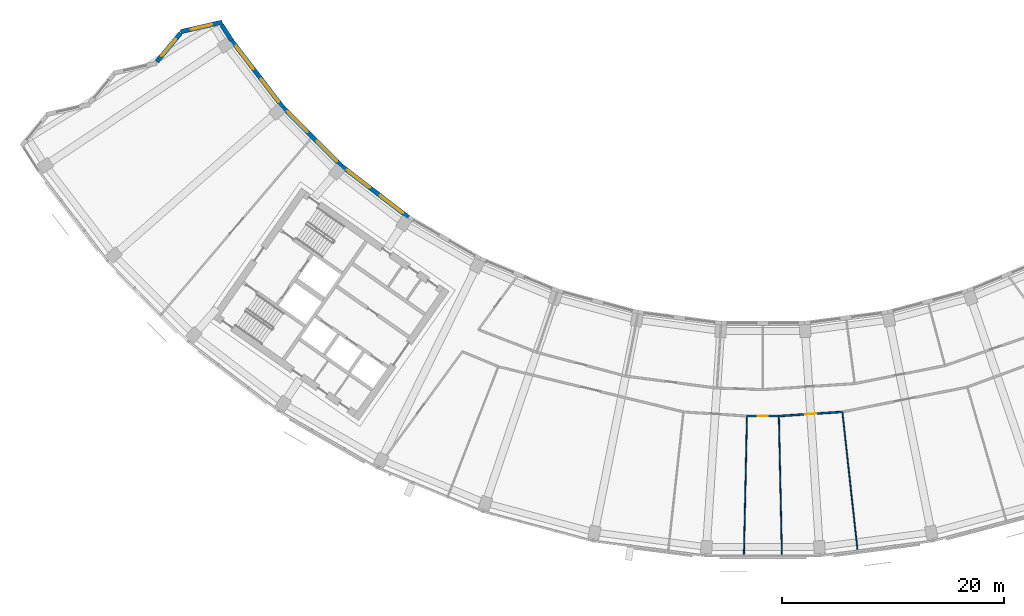
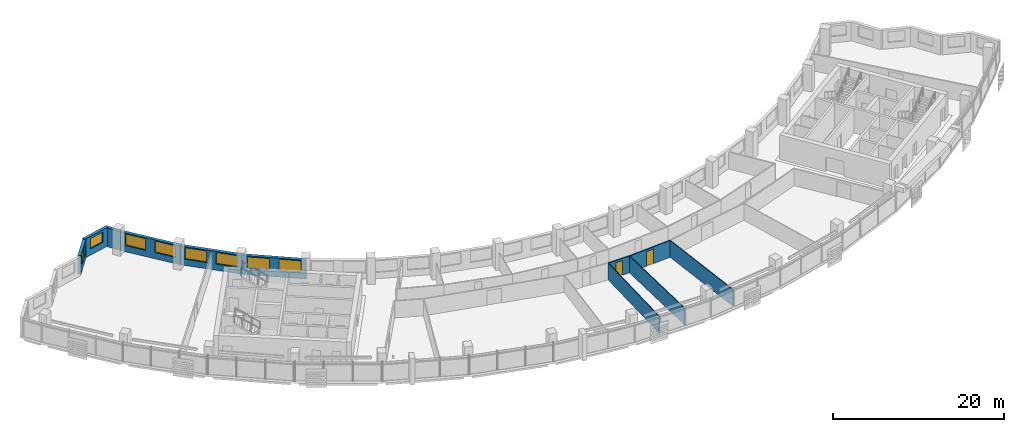
# One storey, part 5 of 28: 11 walls, 8 windows, 2 doors, 10 openings.
"""IFC4 building model written with IfcOpenShell, lengths in metres."""

from ifc_helpers import new_model, si_unit, direction, frame, frame_2d, origin, place, context, subcontext, project, spatial, rectangle, extrude, material, layer, layer_set, type_object, element, fill, save


model = new_model("IFC4")

# Units and contexts
model_context = context("Model", 3, precision=1e-05, world=origin(), true_north=direction((0.0, 1.0)))
body_context = subcontext(model_context, "Body", "Model", "MODEL_VIEW")
ifc_project = project(units=[si_unit("LENGTHUNIT", "METRE"), si_unit("AREAUNIT", "SQUARE_METRE"), si_unit("VOLUMEUNIT", "CUBIC_METRE"), si_unit("PLANEANGLEUNIT", "RADIAN"), si_unit("MASSUNIT", "GRAM", prefix="KILO")], contexts=[model_context])

# Site, building, storey
site_placement = place(None, origin())
site = spatial("IfcSite", under=ifc_project, at=site_placement, CompositionType="ELEMENT")
building_placement = place(site_placement, origin())
building = spatial("IfcBuilding", under=site, at=building_placement, Name="Qamariyya Broadcast Tower", CompositionType="ELEMENT")
storey_placement = place(building_placement, frame((0.0, 0.0, 230.300048828125)))
storey = spatial("IfcBuildingStorey", under=building, at=storey_placement, Name="L55", CompositionType="ELEMENT", Elevation=230.300048828125)

# Wall, opening, door
ifc_material_1 = material(Name="Gypsum board partition")
ifc_layer_1 = layer(ifc_material_1, 0.14990234375)
ifc_layer_set_1 = layer_set([ifc_layer_1], Name="Corridor partition 150 EI 60")
wall_type_1 = type_object("IfcWallType", Name="Corridor partition 150 EI 60", PredefinedType="PARTITIONING", material=ifc_layer_set_1)
wall_1_placement = place(storey_placement, frame((1.437255859375, -65.7841796875, 0.0), z_axis=(0.0, 0.0, 1.0), x_axis=(-1.0, 0.0, 0.0)))
wall_1 = element("IfcWall", 1, at=wall_1_placement, inside=storey, type_object=wall_type_1, Name="Partition L55-017", PredefinedType="PARTITIONING", context=body_context, shape_type="SweptSolid", body=[
    extrude(rectangle(XDim=2.87451171875, YDim=0.14990234375, at=frame_2d((1.437255859375, 0.0))), origin(), (0.0, 0.0, 1.0), 2.39990234375),
])
opening_1_placement = place(wall_1_placement, frame((0.9873046875, 0.0, 0.0)))
opening_1 = element("IfcOpeningElement", 2, at=opening_1_placement, cuts=wall_1, Name="Opening L55-D04", PredefinedType="OPENING", context=body_context, shape_type="SweptSolid", body=[
    extrude(rectangle(XDim=0.89990234375, YDim=2.10009765625, at=frame_2d((0.449951171875, 1.050048828125))), frame((0.0, 0.0849609375, 0.0), z_axis=(0.0, -1.0, 0.0), x_axis=(1.0, 0.0, 0.0)), (0.0, 0.0, 1.0), 0.169921875),
])
ifc_material_2 = material(Name="Timber fire door leaf", Category="wood")
door_type_1 = type_object("IfcDoorType", Name="Fire door 900 x 2100 FD60", OperationType="NOTDEFINED", PredefinedType="DOOR", material=ifc_material_2)
door_1_placement = place(opening_1_placement, origin())
door_1 = element("IfcDoor", 3, at=door_1_placement, inside=storey, type_object=door_type_1, Name="Door L55-D04", OperationType="SINGLE_SWING_RIGHT", OverallHeight=2.10009765625, OverallWidth=0.89990234375, PredefinedType="DOOR", context=body_context, shape_type="SweptSolid", body=[
    extrude(rectangle(XDim=0.89990234375, YDim=2.10009765625, at=frame_2d((0.449951171875, 1.050048828125))), frame((0.0, 0.02490234375, 0.0), z_axis=(0.0, -1.0, 0.0), x_axis=(1.0, 0.0, 0.0)), (0.0, 0.0, 1.0), 0.050048828125),
])
fill(opening_1, door_1)

wall_2_placement = place(storey_placement, frame((7.16162109375, -65.4091796875, 0.0), z_axis=(0.0, 0.0, 1.0), x_axis=(-0.997861137906, -0.065369331165, 0.0)))
wall_2 = element("IfcWall", 4, at=wall_2_placement, inside=storey, type_object=wall_type_1, Name="Partition L55-020", PredefinedType="PARTITIONING", context=body_context, shape_type="SweptSolid", body=[
    extrude(rectangle(XDim=5.736572265625, YDim=0.14990234375, at=frame_2d((2.8681640625, 0.0))), origin(), (0.0, 0.0, 1.0), 2.39990234375),
])
opening_2_placement = place(wall_2_placement, frame((2.368408203125, 0.0, 0.0)))
opening_2 = element("IfcOpeningElement", 5, at=opening_2_placement, cuts=wall_2, Name="Opening L55-D05", PredefinedType="OPENING", context=body_context, shape_type="SweptSolid", body=[
    extrude(rectangle(XDim=1.0, YDim=2.10009765625, at=frame_2d((0.5, 1.050048828125))), frame((0.0, 0.0849609375, 0.0), z_axis=(0.0, -1.0, 0.0), x_axis=(1.0, 0.0, 0.0)), (0.0, 0.0, 1.0), 0.169921875),
])
door_type_2 = type_object("IfcDoorType", Name="Fire door 1000 x 2100 FD60", OperationType="NOTDEFINED", PredefinedType="DOOR", material=ifc_material_2)
door_2_placement = place(opening_2_placement, origin())
door_2 = element("IfcDoor", 6, at=door_2_placement, inside=storey, type_object=door_type_2, Name="Door L55-D05", OperationType="SINGLE_SWING_RIGHT", OverallHeight=2.10009765625, OverallWidth=1.0, PredefinedType="DOOR", context=body_context, shape_type="SweptSolid", body=[
    extrude(rectangle(XDim=1.0, YDim=2.10009765625, at=frame_2d((0.5, 1.050048828125))), frame((0.0, 0.02490234375, 0.0), z_axis=(0.0, -1.0, 0.0), x_axis=(1.0, 0.0, 0.0)), (0.0, 0.0, 1.0), 0.050048828125),
])
fill(opening_2, door_2)

# Walls
ifc_layer_2 = layer(ifc_material_1, 0.10009765625)
ifc_layer_set_2 = layer_set([ifc_layer_2], Name="Partition 100")
wall_type_2 = type_object("IfcWallType", Name="Partition 100", PredefinedType="PARTITIONING", material=ifc_layer_set_2)
for number, where, z_axis, x_axis, name in (
    (7, (-1.710205078125, -78.28173828125, 0.0), (0.0, 0.0, 1.0), (0.02182963041, 0.999761705226, 0.0), "Partition L55-016"),
    (8, (1.710205078125, -78.28173828125, 0.0), (0.0, 0.0, 1.0), (-0.02182963041, 0.999761705226, 0.0), "Partition L55-021"),
    (9, (8.522216796875, -77.835205078125, 0.0), (0.0, 0.0, 1.0), (-0.108852796, 0.994057880006, 0.0), "Partition L55-025"),
):
    element("IfcWall", number, at=place(storey_placement, frame(where, z_axis=z_axis, x_axis=x_axis)), inside=storey, type_object=wall_type_2, Name=name, PredefinedType="PARTITIONING", context=body_context, shape_type="SweptSolid", body=[
        extrude(rectangle(XDim=12.42529296875, YDim=0.10009765625, at=frame_2d((6.212646484375, 0.0))), origin(), (0.0, 0.0, 1.0), 2.39990234375),
    ])

# Wall, opening, window
ifc_material_3 = material(Name="Terracotta", Category="masonry")
ifc_layer_3 = layer(ifc_material_3, 0.39990234375)
ifc_layer_set_3 = layer_set([ifc_layer_3], Name="Terracotta clad wall 400")
wall_type_3 = type_object("IfcWallType", Name="Terracotta clad wall 400", PredefinedType="SOLIDWALL", material=ifc_layer_set_3)
wall_3_placement = place(storey_placement, frame((-48.724365234375, -30.291259765625, 0.0), z_axis=(0.0, 0.0, 1.0), x_axis=(-0.974641800734, -0.223770776157, 0.0)))
wall_3 = element("IfcWall", 10, at=wall_3_placement, inside=storey, type_object=wall_type_3, Name="e-wl-L55-capW0", PredefinedType="SOLIDWALL", context=body_context, shape_type="SweptSolid", body=[
    extrude(rectangle(XDim=3.832763671875, YDim=0.39990234375, at=frame_2d((1.91650390625, 0.0))), origin(), (0.0, 0.0, 1.0), 2.699951171875),
])
opening_3_placement = place(wall_3_placement, frame((0.91650390625, 0.0, 0.89990234375)))
opening_3 = element("IfcOpeningElement", 11, at=opening_3_placement, cuts=wall_3, Name="Opening W4", PredefinedType="OPENING", context=body_context, shape_type="SweptSolid", body=[
    extrude(rectangle(XDim=2.0, YDim=1.5, at=frame_2d((1.0, 0.75))), frame((0.0, 0.2099609375, 0.0), z_axis=(0.0, -1.0, 0.0), x_axis=(1.0, 0.0, 0.0)), (0.0, 0.0, 1.0), 0.419921875),
])
ifc_material_4 = material(Name="Clear low-e double glazed unit in aluminium frame", Category="aluminium")
window_type_1 = type_object("IfcWindowType", Name="Horn bay window 2000 x 1500", PartitioningType="SINGLE_PANEL", PredefinedType="WINDOW", material=ifc_material_4)
window_1_placement = place(opening_3_placement, origin())
window_1 = element("IfcWindow", 12, at=window_1_placement, inside=storey, type_object=window_type_1, Name="e-w-L55-capW0", OverallHeight=1.5, OverallWidth=2.0, PartitioningType="SINGLE_PANEL", PredefinedType="WINDOW", context=body_context, shape_type="SweptSolid", body=[
    extrude(rectangle(XDim=2.0, YDim=1.5, at=frame_2d((1.0, 0.75))), frame((0.0, 0.030029296875, 0.0), z_axis=(0.0, -1.0, 0.0), x_axis=(1.0, 0.0, 0.0)), (0.0, 0.0, 1.0), 0.06005859375),
])
fill(opening_3, window_1)

wall_4_placement = place(storey_placement, frame((-52.481201171875, -31.28857421875, 0.0), z_axis=(0.0, 0.0, 1.0), x_axis=(-0.639028381079, -0.769183156456, 0.0)))
wall_4 = element("IfcWall", 13, at=wall_4_placement, inside=storey, type_object=wall_type_3, Name="e-wl-L55-capW1", PredefinedType="SOLIDWALL", context=body_context, shape_type="SweptSolid", body=[
    extrude(rectangle(XDim=3.32568359375, YDim=0.39990234375, at=frame_2d((1.662841796875, 0.0))), origin(), (0.0, 0.0, 1.0), 2.699951171875),
])
opening_4_placement = place(wall_4_placement, frame((0.662841796875, 0.0, 0.89990234375)))
opening_4 = element("IfcOpeningElement", 14, at=opening_4_placement, cuts=wall_4, Name="Opening W4", PredefinedType="OPENING", context=body_context, shape_type="SweptSolid", body=[
    extrude(rectangle(XDim=2.0, YDim=1.5, at=frame_2d((1.0, 0.75))), frame((0.0, 0.2099609375, 0.0), z_axis=(0.0, -1.0, 0.0), x_axis=(1.0, 0.0, 0.0)), (0.0, 0.0, 1.0), 0.419921875),
])
window_2_placement = place(opening_4_placement, origin())
window_2 = element("IfcWindow", 15, at=window_2_placement, inside=storey, type_object=window_type_1, Name="e-w-L55-capW1", OverallHeight=1.5, OverallWidth=2.0, PartitioningType="SINGLE_PANEL", PredefinedType="WINDOW", context=body_context, shape_type="SweptSolid", body=[
    extrude(rectangle(XDim=2.0, YDim=1.5, at=frame_2d((1.0, 0.75))), frame((0.0, 0.030029296875, 0.0), z_axis=(0.0, -1.0, 0.0), x_axis=(1.0, 0.0, 0.0)), (0.0, 0.0, 1.0), 0.06005859375),
])
fill(opening_4, window_2)

# Wall
wall_5_placement = place(storey_placement, frame((-47.865478515625, -31.950439453125, 0.0), z_axis=(0.0, 0.0, 1.0), x_axis=(-0.540469788103, 0.84136342216, 0.0)))
element("IfcWall", 16, at=wall_5_placement, inside=storey, type_object=wall_type_3, Name="e-wl-L55-in00", PredefinedType="SOLIDWALL", context=body_context, shape_type="SweptSolid", body=[
    extrude(rectangle(XDim=1.67236328125, YDim=0.39990234375, at=frame_2d((0.836181640625, 0.0))), origin(), (0.0, 0.0, 1.0), 2.699951171875),
])

# Wall, openings, windows
wall_6_placement = place(storey_placement, frame((-43.25341796875, -37.965576171875, 0.0), z_axis=(0.0, 0.0, 1.0), x_axis=(-0.608754059844, 0.793358994796, 0.0)))
wall_6 = element("IfcWall", 17, at=wall_6_placement, inside=storey, type_object=wall_type_3, Name="e-wl-L55-in10", PredefinedType="SOLIDWALL", context=body_context, shape_type="SweptSolid", body=[
    extrude(rectangle(XDim=7.5634765625, YDim=0.39990234375, at=frame_2d((3.78173828125, 0.0))), origin(), (0.0, 0.0, 1.0), 2.699951171875),
])
opening_5_placement = place(wall_6_placement, frame((4.364501953125, 0.0, 0.89990234375)))
opening_5 = element("IfcOpeningElement", 18, at=opening_5_placement, cuts=wall_6, Name="Opening W1", PredefinedType="OPENING", context=body_context, shape_type="SweptSolid", body=[
    extrude(rectangle(XDim=2.60009765625, YDim=1.64990234375, at=frame_2d((1.300048828125, 0.824951171875))), frame((0.0, 0.2099609375, 0.0), z_axis=(0.0, -1.0, 0.0), x_axis=(1.0, 0.0, 0.0)), (0.0, 0.0, 1.0), 0.419921875),
])
opening_6_placement = place(wall_6_placement, frame((0.613525390625, 0.0, 0.89990234375)))
opening_6 = element("IfcOpeningElement", 19, at=opening_6_placement, cuts=wall_6, Name="Opening W1", PredefinedType="OPENING", context=body_context, shape_type="SweptSolid", body=[
    extrude(rectangle(XDim=2.60009765625, YDim=1.64990234375, at=frame_2d((1.300048828125, 0.824951171875))), frame((0.0, 0.2099609375, 0.0), z_axis=(0.0, -1.0, 0.0), x_axis=(1.0, 0.0, 0.0)), (0.0, 0.0, 1.0), 0.419921875),
])
window_type_2 = type_object("IfcWindowType", Name="Ribbon window 2600 x 1650", PartitioningType="SINGLE_PANEL", PredefinedType="WINDOW", material=ifc_material_4)
window_3_placement = place(opening_5_placement, origin())
window_3 = element("IfcWindow", 20, at=window_3_placement, inside=storey, type_object=window_type_2, Name="e-w-L55-in01-0", OverallHeight=1.64990234375, OverallWidth=2.60009765625, PartitioningType="SINGLE_PANEL", PredefinedType="WINDOW", context=body_context, shape_type="SweptSolid", body=[
    extrude(rectangle(XDim=2.60009765625, YDim=1.64990234375, at=frame_2d((1.300048828125, 0.824951171875))), frame((0.0, 0.030029296875, 0.0), z_axis=(0.0, -1.0, 0.0), x_axis=(1.0, 0.0, 0.0)), (0.0, 0.0, 1.0), 0.06005859375),
])
fill(opening_5, window_3)
window_4_placement = place(opening_6_placement, origin())
window_4 = element("IfcWindow", 21, at=window_4_placement, inside=storey, type_object=window_type_2, Name="e-w-L55-in01-1", OverallHeight=1.64990234375, OverallWidth=2.60009765625, PartitioningType="SINGLE_PANEL", PredefinedType="WINDOW", context=body_context, shape_type="SweptSolid", body=[
    extrude(rectangle(XDim=2.60009765625, YDim=1.64990234375, at=frame_2d((1.300048828125, 0.824951171875))), frame((0.0, 0.030029296875, 0.0), z_axis=(0.0, -1.0, 0.0), x_axis=(1.0, 0.0, 0.0)), (0.0, 0.0, 1.0), 0.06005859375),
])
fill(opening_6, window_4)

wall_7_placement = place(storey_placement, frame((-37.9814453125, -43.23291015625, 0.0), z_axis=(0.0, 0.0, 1.0), x_axis=(-0.707106781187, 0.707106781187, 0.0)))
wall_7 = element("IfcWall", 22, at=wall_7_placement, inside=storey, type_object=wall_type_3, Name="e-wl-L55-in20", PredefinedType="SOLIDWALL", context=body_context, shape_type="SweptSolid", body=[
    extrude(rectangle(XDim=7.4267578125, YDim=0.39990234375, at=frame_2d((3.71337890625, 0.0))), origin(), (0.0, 0.0, 1.0), 2.699951171875),
])
opening_7_placement = place(wall_7_placement, frame((4.28857421875, 0.0, 0.89990234375)))
opening_7 = element("IfcOpeningElement", 23, at=opening_7_placement, cuts=wall_7, Name="Opening W1", PredefinedType="OPENING", context=body_context, shape_type="SweptSolid", body=[
    extrude(rectangle(XDim=2.60009765625, YDim=1.64990234375, at=frame_2d((1.300048828125, 0.824951171875))), frame((0.0, 0.2099609375, 0.0), z_axis=(0.0, -1.0, 0.0), x_axis=(1.0, 0.0, 0.0)), (0.0, 0.0, 1.0), 0.419921875),
])
opening_8_placement = place(wall_7_placement, frame((0.537841796875, 0.0, 0.89990234375)))
opening_8 = element("IfcOpeningElement", 24, at=opening_8_placement, cuts=wall_7, Name="Opening W1", PredefinedType="OPENING", context=body_context, shape_type="SweptSolid", body=[
    extrude(rectangle(XDim=2.60009765625, YDim=1.64990234375, at=frame_2d((1.300048828125, 0.824951171875))), frame((0.0, 0.2099609375, 0.0), z_axis=(0.0, -1.0, 0.0), x_axis=(1.0, 0.0, 0.0)), (0.0, 0.0, 1.0), 0.419921875),
])
window_5_placement = place(opening_7_placement, origin())
window_5 = element("IfcWindow", 25, at=window_5_placement, inside=storey, type_object=window_type_2, Name="e-w-L55-in02-0", OverallHeight=1.64990234375, OverallWidth=2.60009765625, PartitioningType="SINGLE_PANEL", PredefinedType="WINDOW", context=body_context, shape_type="SweptSolid", body=[
    extrude(rectangle(XDim=2.60009765625, YDim=1.64990234375, at=frame_2d((1.300048828125, 0.824951171875))), frame((0.0, 0.030029296875, 0.0), z_axis=(0.0, -1.0, 0.0), x_axis=(1.0, 0.0, 0.0)), (0.0, 0.0, 1.0), 0.06005859375),
])
fill(opening_7, window_5)
window_6_placement = place(opening_8_placement, origin())
window_6 = element("IfcWindow", 26, at=window_6_placement, inside=storey, type_object=window_type_2, Name="e-w-L55-in02-1", OverallHeight=1.64990234375, OverallWidth=2.60009765625, PartitioningType="SINGLE_PANEL", PredefinedType="WINDOW", context=body_context, shape_type="SweptSolid", body=[
    extrude(rectangle(XDim=2.60009765625, YDim=1.64990234375, at=frame_2d((1.300048828125, 0.824951171875))), frame((0.0, 0.030029296875, 0.0), z_axis=(0.0, -1.0, 0.0), x_axis=(1.0, 0.0, 0.0)), (0.0, 0.0, 1.0), 0.06005859375),
])
fill(opening_8, window_6)

wall_8_placement = place(storey_placement, frame((-31.953369140625, -47.86669921875, 0.0), z_axis=(0.0, 0.0, 1.0), x_axis=(-0.793356365089, 0.608757486995, 0.0)))
wall_8 = element("IfcWall", 27, at=wall_8_placement, inside=storey, type_object=wall_type_3, Name="e-wl-L55-in30", PredefinedType="SOLIDWALL", context=body_context, shape_type="SweptSolid", body=[
    extrude(rectangle(XDim=7.578125, YDim=0.39990234375, at=frame_2d((3.7890625, 0.0))), origin(), (0.0, 0.0, 1.0), 2.699951171875),
])
opening_9_placement = place(wall_8_placement, frame((4.364501953125, 0.0, 0.89990234375)))
opening_9 = element("IfcOpeningElement", 28, at=opening_9_placement, cuts=wall_8, Name="Opening W1", PredefinedType="OPENING", context=body_context, shape_type="SweptSolid", body=[
    extrude(rectangle(XDim=2.60009765625, YDim=1.64990234375, at=frame_2d((1.300048828125, 0.824951171875))), frame((0.0, 0.2099609375, 0.0), z_axis=(0.0, -1.0, 0.0), x_axis=(1.0, 0.0, 0.0)), (0.0, 0.0, 1.0), 0.419921875),
])
opening_10_placement = place(wall_8_placement, frame((0.613525390625, 0.0, 0.89990234375)))
opening_10 = element("IfcOpeningElement", 29, at=opening_10_placement, cuts=wall_8, Name="Opening W1", PredefinedType="OPENING", context=body_context, shape_type="SweptSolid", body=[
    extrude(rectangle(XDim=2.60009765625, YDim=1.64990234375, at=frame_2d((1.300048828125, 0.824951171875))), frame((0.0, 0.2099609375, 0.0), z_axis=(0.0, -1.0, 0.0), x_axis=(1.0, 0.0, 0.0)), (0.0, 0.0, 1.0), 0.419921875),
])
window_7_placement = place(opening_9_placement, origin())
window_7 = element("IfcWindow", 30, at=window_7_placement, inside=storey, type_object=window_type_2, Name="e-w-L55-in03-0", OverallHeight=1.64990234375, OverallWidth=2.60009765625, PartitioningType="SINGLE_PANEL", PredefinedType="WINDOW", context=body_context, shape_type="SweptSolid", body=[
    extrude(rectangle(XDim=2.60009765625, YDim=1.64990234375, at=frame_2d((1.300048828125, 0.824951171875))), frame((0.0, 0.030029296875, 0.0), z_axis=(0.0, -1.0, 0.0), x_axis=(1.0, 0.0, 0.0)), (0.0, 0.0, 1.0), 0.06005859375),
])
fill(opening_9, window_7)
window_8_placement = place(opening_10_placement, origin())
window_8 = element("IfcWindow", 31, at=window_8_placement, inside=storey, type_object=window_type_2, Name="e-w-L55-in03-1", OverallHeight=1.64990234375, OverallWidth=2.60009765625, PartitioningType="SINGLE_PANEL", PredefinedType="WINDOW", context=body_context, shape_type="SweptSolid", body=[
    extrude(rectangle(XDim=2.60009765625, YDim=1.64990234375, at=frame_2d((1.300048828125, 0.824951171875))), frame((0.0, 0.030029296875, 0.0), z_axis=(0.0, -1.0, 0.0), x_axis=(1.0, 0.0, 0.0)), (0.0, 0.0, 1.0), 0.06005859375),
])
fill(opening_10, window_8)

save(model, "model.ifc")
